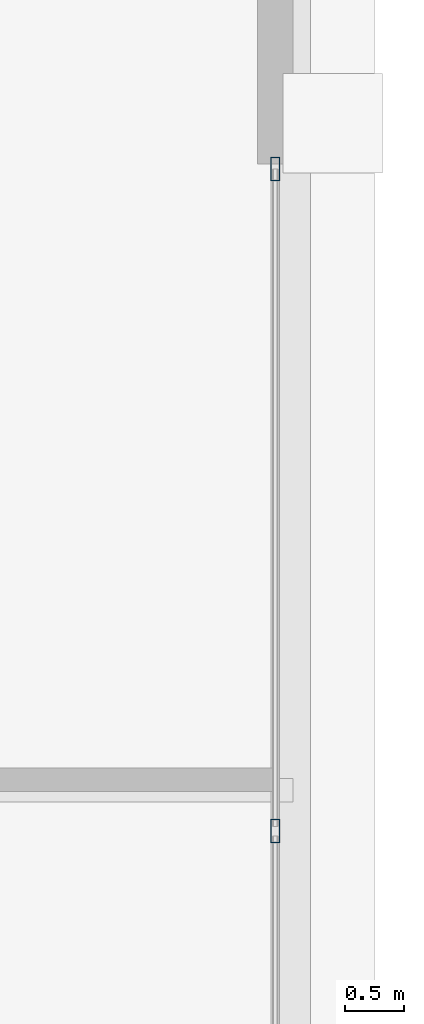
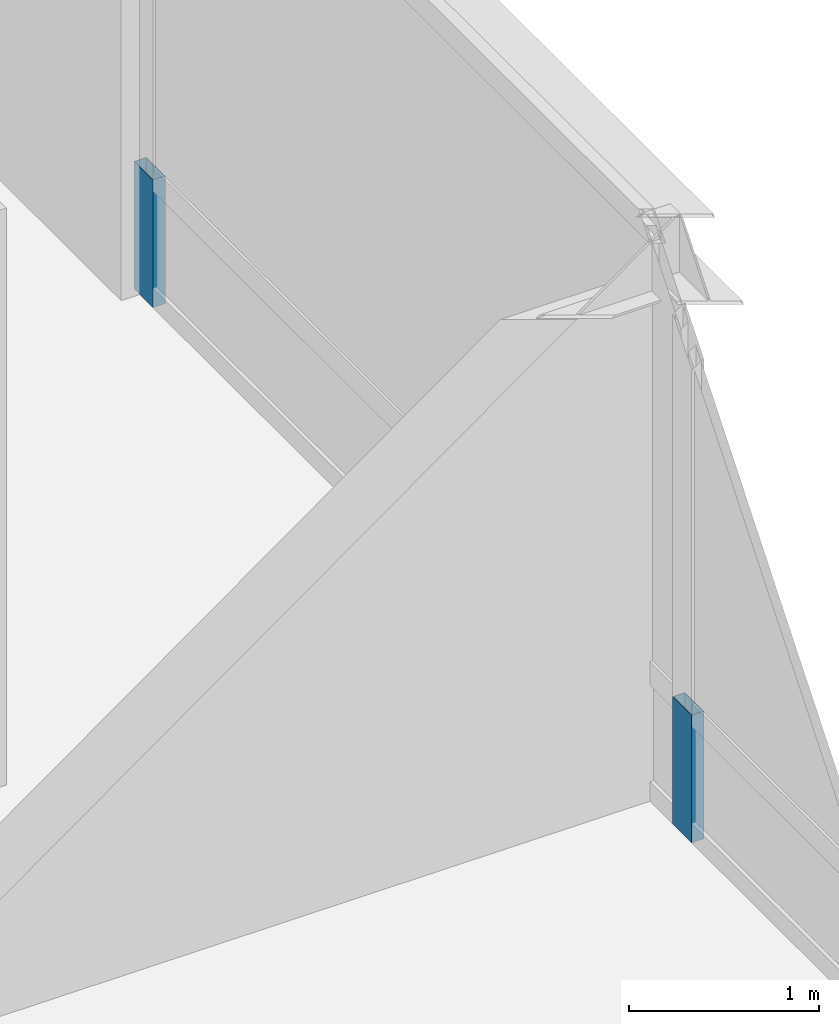
# One storey, part 26 of 34: 2 members, 1 element without a shape of its own.
"""IFC4 building model written with IfcOpenShell, lengths in metres."""

from ifc_helpers import new_model, si_unit, direction, frame, origin, origin_2d, place, context, subcontext, project, spatial, hollow_rectangle, extrude, source, transform, mapped, material, layer, layer_set, material_profile, profile_set, type_object, element, aggregate, save


model = new_model("IFC4")

# Units and contexts
model_context = context("Model", 3, precision=1e-05, world=origin(), true_north=direction((0.0, 1.0)))
body_context = subcontext(model_context, "Body", "Model", "MODEL_VIEW")
ifc_project = project(units=[si_unit("LENGTHUNIT", "METRE"), si_unit("AREAUNIT", "SQUARE_METRE"), si_unit("VOLUMEUNIT", "CUBIC_METRE"), si_unit("PLANEANGLEUNIT", "RADIAN"), si_unit("MASSUNIT", "GRAM", prefix="KILO"), si_unit("THERMODYNAMICTEMPERATUREUNIT", "KELVIN"), si_unit("POWERUNIT", "WATT")], contexts=[model_context])

# Site, building, storey
site_placement = place(None, origin())
site = spatial("IfcSite", under=ifc_project, at=site_placement, CompositionType="ELEMENT")
building_placement = place(site_placement, origin())
building = spatial("IfcBuilding", under=site, at=building_placement, Name="Yuzanri Waterfront Tower", CompositionType="ELEMENT")
storey_placement = place(building_placement, frame((0.0, 0.0, 347.199951171875)))
storey = spatial("IfcBuildingStorey", under=building, at=storey_placement, Name="L93", CompositionType="ELEMENT", Elevation=347.199951171875)

# Curtain wall, members
ifc_material_1 = material(Name="Anodized Architectural Bronze", Category="metal")
ifc_layer = layer(ifc_material_1, 0.159912109375)
ifc_layer_set = layer_set([ifc_layer], Name="Anodized Architectural Bronze")
curtain_wall_type = type_object("IfcCurtainWallType", Name="Anodized Bronze High-Rise Penthouse High-Wind Unitized Curtain Wall 6900", PredefinedType="NOTDEFINED", material=ifc_layer_set)
curtain_wall_placement = place(storey_placement, origin())
curtain_wall = element("IfcCurtainWall", 1, at=curtain_wall_placement, inside=storey, type_object=curtain_wall_type, Name="L93 Curtain Wall CW-L93-ER", PredefinedType="NOTDEFINED")
ifc_material_2 = material(Name="Anodized Architectural Bronze", Category="metal")
ifc_material_profile = material_profile(ifc_material_2, hollow_rectangle(XDim=0.074951171875, YDim=0.199951171875, WallThickness=0.00390625, at=origin_2d()), Name="CWM 75x200")
ifc_profile_set = profile_set([ifc_material_profile], Name="Anodized Architectural Bronze")
member_type = type_object("IfcMemberType", Name="Anodized Bronze Primary Curtain-Wall Mullion 75x200", PredefinedType="MULLION", material=ifc_profile_set)
shared_shape = source(origin(), body_context, "Body", "SweptSolid", [
    extrude(hollow_rectangle(XDim=0.074951171875, YDim=0.199951171875, WallThickness=0.00390625, at=origin_2d()), origin(), (0.0, 0.0, 1.0), 0.818115234375),
])
member_1_placement = place(storey_placement, frame((55.949951171875, 31.85009765625, 0.0), z_axis=(0.0, 0.0, 1.0), x_axis=(1.0, 0.0, 0.0)))
member_1 = element("IfcMember", 2, at=member_1_placement, type_object=member_type, Name="CW-L93-ER Lower Mullion 01", PredefinedType="MULLION", context=body_context, shape_type="MappedRepresentation", body=[
    mapped(shared_shape, transform((0.0, 0.0, 0.0), scale=1.0)),
])
member_2_placement = place(storey_placement, frame((55.949951171875, 37.510009765625, 0.0), z_axis=(0.0, 0.0, 1.0), x_axis=(1.0, 0.0, 0.0)))
member_2 = element("IfcMember", 3, at=member_2_placement, type_object=member_type, Name="CW-L93-ER Lower Mullion 02", PredefinedType="MULLION", context=body_context, shape_type="MappedRepresentation", body=[
    mapped(shared_shape, transform((0.0, 0.0, 0.0), scale=1.0)),
])
aggregate(curtain_wall, [member_1, member_2])

save(model, "model.ifc")
